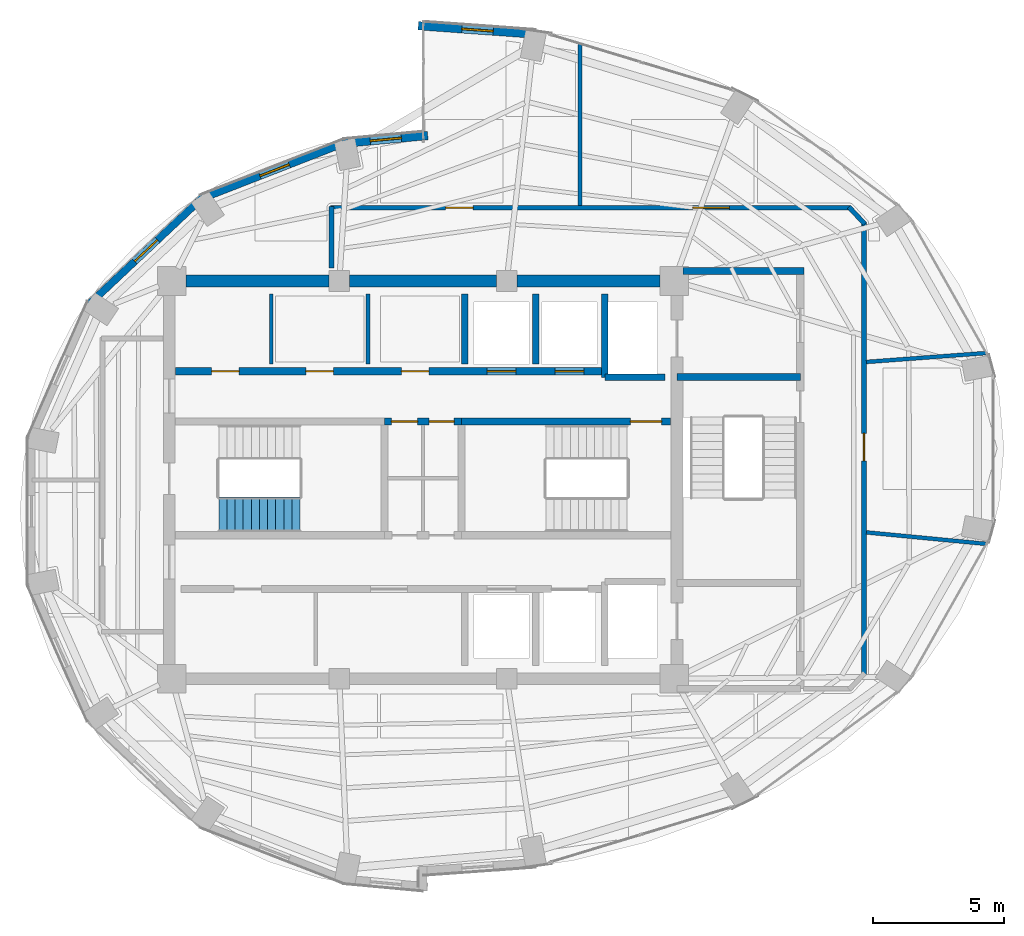
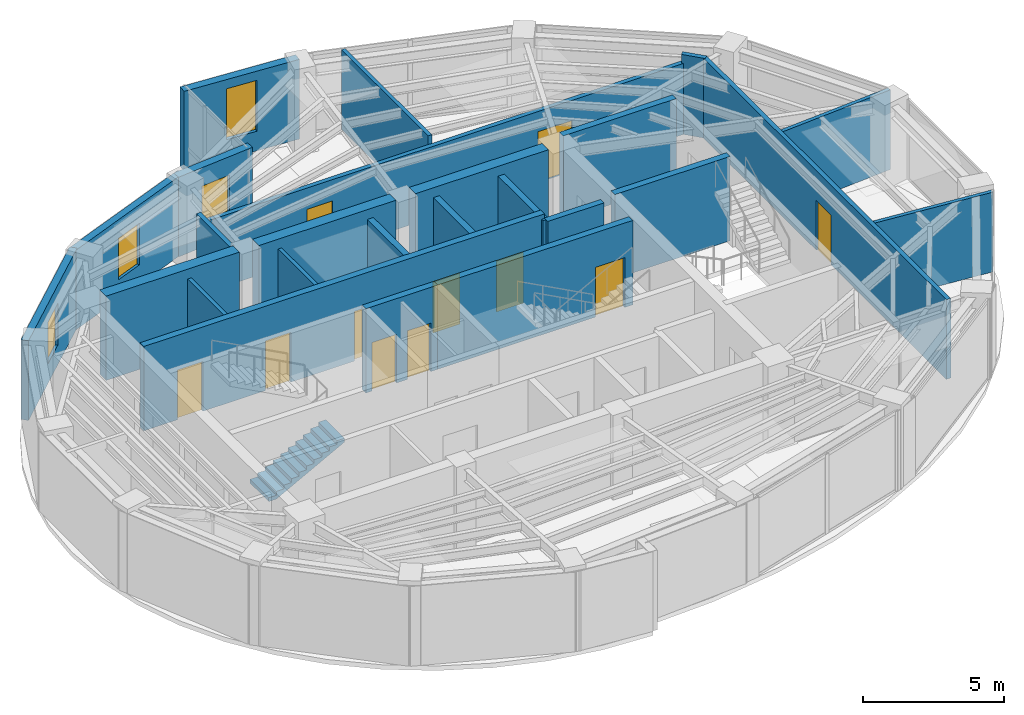
# One storey, part 12 of 15: 25 walls, 11 doors, 4 windows, 1 stair flight, 15 openings, 1 element without a shape of its own.
"""IFC4 building model written with IfcOpenShell, lengths in metres."""

from ifc_helpers import new_model, si_unit, direction, frame, frame_2d, origin, place, context, subcontext, project, spatial, polyline, rectangle, outline, extrude, material, layer, layer_set, type_object, element, fill, aggregate, save


model = new_model("IFC4")

# Units and contexts
model_context = context("Model", 3, precision=1e-05, world=origin(), true_north=direction((0.0, 1.0)))
body_context = subcontext(model_context, "Body", "Model", "MODEL_VIEW")
ifc_project = project(units=[si_unit("LENGTHUNIT", "METRE"), si_unit("AREAUNIT", "SQUARE_METRE"), si_unit("VOLUMEUNIT", "CUBIC_METRE"), si_unit("PLANEANGLEUNIT", "RADIAN"), si_unit("MASSUNIT", "GRAM", prefix="KILO")], contexts=[model_context])

# Site, building, storey
site_placement = place(None, origin())
site = spatial("IfcSite", under=ifc_project, at=site_placement, CompositionType="ELEMENT")
building_placement = place(site_placement, origin())
building = spatial("IfcBuilding", under=site, at=building_placement, Name="Lazwardi Medical Tower", CompositionType="ELEMENT")
storey_placement = place(building_placement, frame((0.0, 0.0, 284.2080078125)))
storey = spatial("IfcBuildingStorey", under=building, at=storey_placement, Name="L74", CompositionType="ELEMENT", Elevation=284.2080078125)

# Wall
ifc_material_1 = material(Name="Fire-rated gypsum board on steel stud", Category="steel")
ifc_layer_1 = layer(ifc_material_1, 0.179931640625)
ifc_layer_set_1 = layer_set([ifc_layer_1], Name="Fire-rated gypsum board on steel stud")
wall_type_1 = type_object("IfcWallType", Name="WL-COR-180", PredefinedType="PARTITIONING", material=ifc_layer_set_1)
wall_1_placement = place(storey_placement, frame((32.5, 36.090087890625, 0.0), z_axis=(0.0, 0.0, 1.0), x_axis=(0.0, 1.0, 0.0)))
element("IfcWall", 1, at=wall_1_placement, inside=storey, type_object=wall_type_1, Name="L74 Corridor partition 1", PredefinedType="PARTITIONING", context=body_context, shape_type="SweptSolid", body=[
    extrude(rectangle(XDim=2.349853515625, YDim=0.179931640625, at=frame_2d((1.1748046875, 0.0))), origin(), (0.0, 0.0, 1.0), 3.447998046875),
])

# Wall, openings, doors
wall_2_placement = place(storey_placement, frame((32.4599609375, 38.39990234375, 0.0), z_axis=(0.0, 0.0, 1.0), x_axis=(1.0, 0.0, 0.0)))
wall_2 = element("IfcWall", 2, at=wall_2_placement, inside=storey, type_object=wall_type_1, Name="L74 Corridor partition 2", PredefinedType="PARTITIONING", context=body_context, shape_type="SweptSolid", body=[
    extrude(rectangle(XDim=19.879150390625, YDim=0.179931640625, at=frame_2d((9.939453125, 0.0))), origin(), (0.0, 0.0, 1.0), 3.072998046875),
])
opening_1_placement = place(wall_2_placement, frame((13.8505859375, 0.0, 0.0)))
opening_1 = element("IfcOpeningElement", 3, at=opening_1_placement, cuts=wall_2, Name="Opening D-L74-016", PredefinedType="OPENING", context=body_context, shape_type="SweptSolid", body=[
    extrude(rectangle(XDim=1.39990234375, YDim=2.199951171875, at=frame_2d((0.699951171875, 1.10009765625))), frame((0.0, 0.099853515625, 0.0), z_axis=(0.0, -1.0, 0.0), x_axis=(1.0, 0.0, 0.0)), (0.0, 0.0, 1.0), 0.199951171875),
])
opening_2_placement = place(wall_2_placement, frame((4.404052734375, 0.0, 0.0)))
opening_2 = element("IfcOpeningElement", 4, at=opening_2_placement, cuts=wall_2, Name="Opening D-L74-017", PredefinedType="OPENING", context=body_context, shape_type="SweptSolid", body=[
    extrude(rectangle(XDim=1.050048828125, YDim=2.14990234375, at=frame_2d((0.52490234375, 1.074951171875))), frame((0.0, 0.099853515625, 0.0), z_axis=(0.0, -1.0, 0.0), x_axis=(1.0, 0.0, 0.0)), (0.0, 0.0, 1.0), 0.199951171875),
])
ifc_material_2 = material(Name="Anti-microbial laminate hospital leaf")
door_type_1 = type_object("IfcDoorType", Name="DR-BED-1400", OperationType="NOTDEFINED", PredefinedType="DOOR", material=ifc_material_2)
door_1_placement = place(opening_1_placement, origin())
door_1 = element("IfcDoor", 5, at=door_1_placement, inside=storey, type_object=door_type_1, Name="L74 Rehabilitation Gymnasium Door 03", OperationType="SINGLE_SWING_RIGHT", OverallHeight=2.199951171875, OverallWidth=1.39990234375, PredefinedType="DOOR", context=body_context, shape_type="SweptSolid", body=[
    extrude(rectangle(XDim=1.39990234375, YDim=2.199951171875, at=frame_2d((0.699951171875, 1.10009765625))), frame((0.0, 0.02490234375, 0.0), z_axis=(0.0, -1.0, 0.0), x_axis=(1.0, 0.0, 0.0)), (0.0, 0.0, 1.0), 0.050048828125),
])
fill(opening_1, door_1)
door_type_2 = type_object("IfcDoorType", Name="DR-CLN-1050", OperationType="NOTDEFINED", PredefinedType="DOOR", material=ifc_material_2)
door_2_placement = place(opening_2_placement, origin())
door_2 = element("IfcDoor", 6, at=door_2_placement, inside=storey, type_object=door_type_2, Name="L74 Outpatient Clinic Door 04", OperationType="SINGLE_SWING_LEFT", OverallHeight=2.14990234375, OverallWidth=1.050048828125, PredefinedType="DOOR", context=body_context, shape_type="SweptSolid", body=[
    extrude(rectangle(XDim=1.050048828125, YDim=2.14990234375, at=frame_2d((0.52490234375, 1.074951171875))), frame((0.0, 0.02490234375, 0.0), z_axis=(0.0, -1.0, 0.0), x_axis=(1.0, 0.0, 0.0)), (0.0, 0.0, 1.0), 0.050048828125),
])
fill(opening_2, door_2)

# Wall
wall_3_placement = place(storey_placement, frame((52.271728515625, 38.42919921875, 0.0), z_axis=(0.0, 0.0, 1.0), x_axis=(0.682475113459, -0.730908831188, 0.0)))
element("IfcWall", 7, at=wall_3_placement, inside=storey, type_object=wall_type_1, Name="L74 Corridor partition 3", PredefinedType="PARTITIONING", context=body_context, shape_type="SweptSolid", body=[
    extrude(rectangle(XDim=0.88720703125, YDim=0.179931640625, at=frame_2d((0.443603515625, 0.0))), origin(), (0.0, 0.0, 1.0), 3.447998046875),
])

# Wall, opening, door
wall_4_placement = place(storey_placement, frame((52.85009765625, 37.85009765625, 0.0), z_axis=(0.0, 0.0, 1.0), x_axis=(0.0, -1.0, 0.0)))
wall_4 = element("IfcWall", 8, at=wall_4_placement, inside=storey, type_object=wall_type_1, Name="L74 Corridor partition 4", PredefinedType="PARTITIONING", context=body_context, shape_type="SweptSolid", body=[
    extrude(rectangle(XDim=17.30029296875, YDim=0.179931640625, at=frame_2d((8.650146484375, 0.0))), origin(), (0.0, 0.0, 1.0), 3.447998046875),
])
opening_3_placement = place(wall_4_placement, frame((8.075927734375, 0.0, 0.0)))
opening_3 = element("IfcOpeningElement", 9, at=opening_3_placement, cuts=wall_4, Name="Opening D-L74-015", PredefinedType="OPENING", context=body_context, shape_type="SweptSolid", body=[
    extrude(rectangle(XDim=1.050048828125, YDim=2.14990234375, at=frame_2d((0.52490234375, 1.074951171875))), frame((0.0, 0.099853515625, 0.0), z_axis=(0.0, -1.0, 0.0), x_axis=(1.0, 0.0, 0.0)), (0.0, 0.0, 1.0), 0.199951171875),
])
door_3_placement = place(opening_3_placement, origin())
door_3 = element("IfcDoor", 10, at=door_3_placement, inside=storey, type_object=door_type_2, Name="L74 Clinical Specialist Office Door 02", OperationType="SINGLE_SWING_LEFT", OverallHeight=2.14990234375, OverallWidth=1.050048828125, PredefinedType="DOOR", context=body_context, shape_type="SweptSolid", body=[
    extrude(rectangle(XDim=1.050048828125, YDim=2.14990234375, at=frame_2d((0.52490234375, 1.074951171875))), frame((0.0, 0.02490234375, 0.0), z_axis=(0.0, -1.0, 0.0), x_axis=(1.0, 0.0, 0.0)), (0.0, 0.0, 1.0), 0.050048828125),
])
fill(opening_3, door_3)

# Walls
ifc_material_3 = material(Name="Concrete C60/75", Category="concrete")
ifc_layer_2 = layer(ifc_material_3, 0.449951171875)
ifc_layer_set_2 = layer_set([ifc_layer_2], Name="Concrete C60/75")
wall_type_2 = type_object("IfcWallType", Name="WL-CORE-450", PredefinedType="SHEAR", material=ifc_layer_set_2)
wall_5_placement = place(storey_placement, frame((26.949951171875, 35.60009765625, 0.0), z_axis=(0.0, 0.0, 1.0), x_axis=(1.0, 0.0, 0.0)))
element("IfcWall", 11, at=wall_5_placement, inside=storey, type_object=wall_type_2, Name="Core wall CW-S4 N1 L74", PredefinedType="SHEAR", context=body_context, shape_type="SweptSolid", body=[
    extrude(rectangle(XDim=5.449951171875, YDim=0.449951171875, at=frame_2d((2.72509765625, 0.0))), origin(), (0.0, 0.0, 1.0), 3.64794921875),
])
wall_6_placement = place(storey_placement, frame((33.199951171875, 35.60009765625, 0.0), z_axis=(0.0, 0.0, 1.0), x_axis=(1.0, 0.0, 0.0)))
element("IfcWall", 12, at=wall_6_placement, inside=storey, type_object=wall_type_2, Name="Core wall CW-S4 N2 L74", PredefinedType="SHEAR", context=body_context, shape_type="SweptSolid", body=[
    extrude(rectangle(XDim=5.60009765625, YDim=0.449951171875, at=frame_2d((2.800048828125, 0.0))), origin(), (0.0, 0.0, 1.0), 3.64794921875),
])
wall_7_placement = place(storey_placement, frame((39.60009765625, 35.60009765625, 0.0), z_axis=(0.0, 0.0, 1.0), x_axis=(1.0, 0.0, 0.0)))
element("IfcWall", 13, at=wall_7_placement, inside=storey, type_object=wall_type_2, Name="Core wall CW-S4 N3 L74", PredefinedType="SHEAR", context=body_context, shape_type="SweptSolid", body=[
    extrude(rectangle(XDim=5.449951171875, YDim=0.449951171875, at=frame_2d((2.72509765625, 0.0))), origin(), (0.0, 0.0, 1.0), 3.64794921875),
])

# Wall, opening, window
ifc_material_4 = material(Name="Precast concrete C45/55", Category="concrete")
ifc_layer_3 = layer(ifc_material_4, 0.280029296875)
ifc_layer_set_3 = layer_set([ifc_layer_3], Name="Precast concrete C45/55")
wall_type_3 = type_object("IfcWallType", Name="WL-DRUM-280", PredefinedType="SOLIDWALL", material=ifc_layer_set_3)
wall_8_placement = place(storey_placement, frame((33.227783203125, 40.964111328125, 0.0), z_axis=(0.0, 0.0, 1.0), x_axis=(-0.931716550814, -0.36318627306, 0.0)))
wall_8 = element("IfcWall", 14, at=wall_8_placement, inside=storey, type_object=wall_type_3, Name="L74 West Drum Precast Wall 1", PredefinedType="SOLIDWALL", context=body_context, shape_type="SweptSolid", body=[
    extrude(rectangle(XDim=6.22412109375, YDim=0.280029296875, at=frame_2d((3.112060546875, 0.0))), origin(), (0.0, 0.0, 1.0), 3.447998046875),
])
opening_4_placement = place(wall_8_placement, frame((2.511962890625, 0.0, 0.85009765625)))
opening_4 = element("IfcOpeningElement", 15, at=opening_4_placement, cuts=wall_8, Name="Opening WN-04", PredefinedType="OPENING", context=body_context, shape_type="SweptSolid", body=[
    extrude(rectangle(XDim=1.199951171875, YDim=1.800048828125, at=frame_2d((0.60009765625, 0.89990234375))), frame((0.0, 0.14990234375, 0.0), z_axis=(0.0, -1.0, 0.0), x_axis=(1.0, 0.0, 0.0)), (0.0, 0.0, 1.0), 0.300048828125),
])
ifc_material_5 = material(Name="Low-e bronze solar control double glazing", Category="glass")
window_type_1 = type_object("IfcWindowType", Name="WIN-DRUM-1200", PartitioningType="SINGLE_PANEL", PredefinedType="WINDOW", material=ifc_material_5)
window_1_placement = place(opening_4_placement, origin())
window_1 = element("IfcWindow", 16, at=window_1_placement, inside=storey, type_object=window_type_1, Name="L74 West Drum Window 1", OverallHeight=1.800048828125, OverallWidth=1.199951171875, PartitioningType="SINGLE_PANEL", PredefinedType="WINDOW", context=body_context, shape_type="SweptSolid", body=[
    extrude(rectangle(XDim=1.199951171875, YDim=1.800048828125, at=frame_2d((0.60009765625, 0.89990234375))), frame((0.0, 0.030029296875, 0.0), z_axis=(0.0, -1.0, 0.0), x_axis=(1.0, 0.0, 0.0)), (0.0, 0.0, 1.0), 0.06005859375),
])
fill(opening_4, window_1)

wall_9_placement = place(storey_placement, frame((27.5947265625, 38.808349609375, 0.0), z_axis=(0.0, 0.0, 1.0), x_axis=(-0.728251519923, -0.685309947199, 0.0)))
wall_9 = element("IfcWall", 17, at=wall_9_placement, inside=storey, type_object=wall_type_3, Name="L74 West Drum Precast Wall 2", PredefinedType="SOLIDWALL", context=body_context, shape_type="SweptSolid", body=[
    extrude(rectangle(XDim=5.98095703125, YDim=0.280029296875, at=frame_2d((2.990478515625, 0.0))), origin(), (0.0, 0.0, 1.0), 3.447998046875),
])
opening_5_placement = place(wall_9_placement, frame((2.390625, 0.0, 0.85009765625)))
opening_5 = element("IfcOpeningElement", 18, at=opening_5_placement, cuts=wall_9, Name="Opening WN-04", PredefinedType="OPENING", context=body_context, shape_type="SweptSolid", body=[
    extrude(rectangle(XDim=1.199951171875, YDim=1.800048828125, at=frame_2d((0.60009765625, 0.89990234375))), frame((0.0, 0.14990234375, 0.0), z_axis=(0.0, -1.0, 0.0), x_axis=(1.0, 0.0, 0.0)), (0.0, 0.0, 1.0), 0.300048828125),
])
window_2_placement = place(opening_5_placement, origin())
window_2 = element("IfcWindow", 19, at=window_2_placement, inside=storey, type_object=window_type_1, Name="L74 West Drum Window 2", OverallHeight=1.800048828125, OverallWidth=1.199951171875, PartitioningType="SINGLE_PANEL", PredefinedType="WINDOW", context=body_context, shape_type="SweptSolid", body=[
    extrude(rectangle(XDim=1.199951171875, YDim=1.800048828125, at=frame_2d((0.60009765625, 0.89990234375))), frame((0.0, 0.030029296875, 0.0), z_axis=(0.0, -1.0, 0.0), x_axis=(1.0, 0.0, 0.0)), (0.0, 0.0, 1.0), 0.06005859375),
])
fill(opening_5, window_2)

ifc_layer_4 = layer(ifc_material_4, 0.320068359375)
ifc_layer_set_4 = layer_set([ifc_layer_4], Name="Precast concrete C45/55")
wall_type_4 = type_object("IfcWallType", Name="WL-IWAN-320", PredefinedType="SOLIDWALL", material=ifc_layer_set_4)
wall_10_placement = place(storey_placement, frame((40.349609375, 45.0263671875, 0.0), z_axis=(0.0, 0.0, 1.0), x_axis=(-0.997412917451, 0.071885131294, 0.0)))
wall_10 = element("IfcWall", 20, at=wall_10_placement, inside=storey, type_object=wall_type_4, Name="L74 Iwan Portal Return Wall NE_ret", PredefinedType="SOLIDWALL", context=body_context, shape_type="SweptSolid", body=[
    extrude(rectangle(XDim=4.540771484375, YDim=0.320068359375, at=frame_2d((2.2705078125, 0.0))), origin(), (0.0, 0.0, 1.0), 3.447998046875),
])
opening_6_placement = place(wall_10_placement, frame((1.67041015625, 0.0, 0.85009765625)))
opening_6 = element("IfcOpeningElement", 21, at=opening_6_placement, cuts=wall_10, Name="Opening WN-01", PredefinedType="OPENING", context=body_context, shape_type="SweptSolid", body=[
    extrude(rectangle(XDim=1.199951171875, YDim=2.199951171875, at=frame_2d((0.60009765625, 1.10009765625))), frame((0.0, 0.169921875, 0.0), z_axis=(0.0, -1.0, 0.0), x_axis=(1.0, 0.0, 0.0)), (0.0, 0.0, 1.0), 0.340087890625),
])
window_type_2 = type_object("IfcWindowType", Name="WIN-IW-1200", PartitioningType="SINGLE_PANEL", PredefinedType="WINDOW", material=ifc_material_5)
window_3_placement = place(opening_6_placement, origin())
window_3 = element("IfcWindow", 22, at=window_3_placement, inside=storey, type_object=window_type_2, Name="L74 Iwan Slot Window NE_ret", OverallHeight=2.199951171875, OverallWidth=1.199951171875, PartitioningType="SINGLE_PANEL", PredefinedType="WINDOW", context=body_context, shape_type="SweptSolid", body=[
    extrude(rectangle(XDim=1.199951171875, YDim=2.199951171875, at=frame_2d((0.60009765625, 1.10009765625))), frame((0.0, 0.030029296875, 0.0), z_axis=(0.0, -1.0, 0.0), x_axis=(1.0, 0.0, 0.0)), (0.0, 0.0, 1.0), 0.06005859375),
])
fill(opening_6, window_3)

wall_11_placement = place(storey_placement, frame((36.178955078125, 41.156494140625, 0.0), z_axis=(0.0, 0.0, 1.0), x_axis=(-0.995736155144, -0.092247001792, 0.0)))
wall_11 = element("IfcWall", 23, at=wall_11_placement, inside=storey, type_object=wall_type_4, Name="L74 Iwan Portal Return Wall NW_ret", PredefinedType="SOLIDWALL", context=body_context, shape_type="SweptSolid", body=[
    extrude(rectangle(XDim=3.215576171875, YDim=0.320068359375, at=frame_2d((1.60791015625, 0.0))), origin(), (0.0, 0.0, 1.0), 3.447998046875),
])
opening_7_placement = place(wall_11_placement, frame((1.0078125, 0.0, 0.85009765625)))
opening_7 = element("IfcOpeningElement", 24, at=opening_7_placement, cuts=wall_11, Name="Opening WN-04", PredefinedType="OPENING", context=body_context, shape_type="SweptSolid", body=[
    extrude(rectangle(XDim=1.199951171875, YDim=1.800048828125, at=frame_2d((0.60009765625, 0.89990234375))), frame((0.0, 0.169921875, 0.0), z_axis=(0.0, -1.0, 0.0), x_axis=(1.0, 0.0, 0.0)), (0.0, 0.0, 1.0), 0.340087890625),
])
window_4_placement = place(opening_7_placement, origin())
window_4 = element("IfcWindow", 25, at=window_4_placement, inside=storey, type_object=window_type_1, Name="L74 Iwan Slot Window NW_ret", OverallHeight=1.800048828125, OverallWidth=1.199951171875, PartitioningType="SINGLE_PANEL", PredefinedType="WINDOW", context=body_context, shape_type="SweptSolid", body=[
    extrude(rectangle(XDim=1.199951171875, YDim=1.800048828125, at=frame_2d((0.60009765625, 0.89990234375))), frame((0.0, 0.030029296875, 0.0), z_axis=(0.0, -1.0, 0.0), x_axis=(1.0, 0.0, 0.0)), (0.0, 0.0, 1.0), 0.06005859375),
])
fill(opening_7, window_4)

# Walls
ifc_material_6 = material(Name="Autoclaved aerated concrete blockwork", Category="masonry")
ifc_layer_5 = layer(ifc_material_6, 0.25)
ifc_layer_set_5 = layer_set([ifc_layer_5], Name="Autoclaved aerated concrete blockwork")
wall_type_5 = type_object("IfcWallType", Name="WL-SHAFT-250", PredefinedType="SOLIDWALL", material=ifc_layer_set_5)
wall_12_placement = place(storey_placement, frame((42.949951171875, 31.919921875, 0.0), z_axis=(0.0, 0.0, 1.0), x_axis=(0.0, 1.0, 0.0)))
element("IfcWall", 26, at=wall_12_placement, inside=storey, type_object=wall_type_5, Name="L74 FL-01 West shaft wall", PredefinedType="SOLIDWALL", context=body_context, shape_type="SweptSolid", body=[
    extrude(rectangle(XDim=3.18017578125, YDim=0.25, at=frame_2d((1.590087890625, 0.0))), origin(), (0.0, 0.0, 1.0), 3.447998046875),
])
wall_13_placement = place(storey_placement, frame((42.949951171875, 31.919921875, 0.0), z_axis=(0.0, 0.0, 1.0), x_axis=(1.0, 0.0, 0.0)))
element("IfcWall", 27, at=wall_13_placement, inside=storey, type_object=wall_type_5, Name="L74 FL-01 South shaft wall", PredefinedType="SOLIDWALL", context=body_context, shape_type="SweptSolid", body=[
    extrude(rectangle(XDim=2.300048828125, YDim=0.25, at=frame_2d((1.14990234375, 0.0))), origin(), (0.0, 0.0, 1.0), 3.447998046875),
])
for number, where, z_axis, x_axis, name in (
    (28, (37.60009765625, 32.419921875, 0.0), (0.0, 0.0, 1.0), (0.0, 1.0, 0.0), "L74 North hoistway divider"),
    (29, (40.300048828125, 32.419921875, 0.0), (0.0, 0.0, 1.0), (0.0, 1.0, 0.0), "L74 North hoistway divider"),
):
    element("IfcWall", number, at=place(storey_placement, frame(where, z_axis=z_axis, x_axis=x_axis)), inside=storey, type_object=wall_type_5, Name=name, PredefinedType="SOLIDWALL", context=body_context, shape_type="SweptSolid", body=[
        extrude(rectangle(XDim=2.68017578125, YDim=0.25, at=frame_2d((1.340087890625, 0.0))), origin(), (0.0, 0.0, 1.0), 3.447998046875),
    ])

# Wall, openings, doors
ifc_material_7 = material(Name="Concrete C50/60", Category="concrete")
ifc_layer_6 = layer(ifc_material_7, 0.27001953125)
ifc_layer_set_6 = layer_set([ifc_layer_6], Name="Concrete C50/60")
wall_type_6 = type_object("IfcWallType", Name="WL-STR-250", PredefinedType="SHEAR", material=ifc_layer_set_6)
wall_14_placement = place(storey_placement, frame((34.534912109375, 30.235107421875, 0.0), z_axis=(0.0, 0.0, 1.0), x_axis=(1.0, 0.0, 0.0)))
wall_14 = element("IfcWall", 30, at=wall_14_placement, inside=storey, type_object=wall_type_6, Name="L74 Core service North shear wall SW-S1", PredefinedType="SHEAR", context=body_context, shape_type="SweptSolid", body=[
    extrude(rectangle(XDim=2.93017578125, YDim=0.27001953125, at=frame_2d((1.465087890625, 0.0))), origin(), (0.0, 0.0, 1.0), 3.64794921875),
])
opening_8_placement = place(wall_14_placement, frame((0.2548828125, 0.0, 0.0)))
opening_8 = element("IfcOpeningElement", 31, at=opening_8_placement, cuts=wall_14, Name="Opening D-L74-003", PredefinedType="OPENING", context=body_context, shape_type="SweptSolid", body=[
    extrude(rectangle(XDim=1.0, YDim=2.10009765625, at=frame_2d((0.5, 1.050048828125))), frame((0.0, 0.14501953125, 0.0), z_axis=(0.0, -1.0, 0.0), x_axis=(1.0, 0.0, 0.0)), (0.0, 0.0, 1.0), 0.2900390625),
])
opening_9_placement = place(wall_14_placement, frame((1.699951171875, 0.0, 0.0)))
opening_9 = element("IfcOpeningElement", 32, at=opening_9_placement, cuts=wall_14, Name="Opening D-L74-004", PredefinedType="OPENING", context=body_context, shape_type="SweptSolid", body=[
    extrude(rectangle(XDim=0.949951171875, YDim=2.10009765625, at=frame_2d((0.47509765625, 1.050048828125))), frame((0.0, 0.14501953125, 0.0), z_axis=(0.0, -1.0, 0.0), x_axis=(1.0, 0.0, 0.0)), (0.0, 0.0, 1.0), 0.2900390625),
])
ifc_material_8 = material(Name="Moisture-resistant laminate door leaf")
door_type_3 = type_object("IfcDoorType", Name="DR-AWC-1000", OperationType="NOTDEFINED", PredefinedType="DOOR", material=ifc_material_8)
door_4_placement = place(opening_8_placement, origin())
door_4 = element("IfcDoor", 33, at=door_4_placement, inside=storey, type_object=door_type_3, Name="L74 Accessible WC Door", OperationType="SINGLE_SWING_RIGHT", OverallHeight=2.10009765625, OverallWidth=1.0, PredefinedType="DOOR", context=body_context, shape_type="SweptSolid", body=[
    extrude(rectangle(XDim=1.0, YDim=2.10009765625, at=frame_2d((0.5, 1.050048828125))), frame((0.0, 0.02490234375, 0.0), z_axis=(0.0, -1.0, 0.0), x_axis=(1.0, 0.0, 0.0)), (0.0, 0.0, 1.0), 0.050048828125),
])
fill(opening_8, door_4)
door_type_4 = type_object("IfcDoorType", Name="DR-ENS-950", OperationType="NOTDEFINED", PredefinedType="DOOR", material=ifc_material_8)
door_5_placement = place(opening_9_placement, origin())
door_5 = element("IfcDoor", 34, at=door_5_placement, inside=storey, type_object=door_type_4, Name="L74 Clean Utility Door", OperationType="SINGLE_SWING_LEFT", OverallHeight=2.10009765625, OverallWidth=0.949951171875, PredefinedType="DOOR", context=body_context, shape_type="SweptSolid", body=[
    extrude(rectangle(XDim=0.949951171875, YDim=2.10009765625, at=frame_2d((0.47509765625, 1.050048828125))), frame((0.0, 0.02490234375, 0.0), z_axis=(0.0, -1.0, 0.0), x_axis=(1.0, 0.0, 0.0)), (0.0, 0.0, 1.0), 0.050048828125),
])
fill(opening_9, door_5)

# Wall, opening, door
wall_15_placement = place(storey_placement, frame((37.465087890625, 30.235107421875, 0.0), z_axis=(0.0, 0.0, 1.0), x_axis=(1.0, 0.0, 0.0)))
wall_15 = element("IfcWall", 35, at=wall_15_placement, inside=storey, type_object=wall_type_6, Name="L74 ST2 North shear shaft wall SW-S1", PredefinedType="SHEAR", context=body_context, shape_type="SweptSolid", body=[
    extrude(rectangle(XDim=7.98486328125, YDim=0.27001953125, at=frame_2d((3.992431640625, 0.0))), origin(), (0.0, 0.0, 1.0), 3.64794921875),
])
opening_10_placement = place(wall_15_placement, frame((6.455078125, 0.0, 0.0)))
opening_10 = element("IfcOpeningElement", 36, at=opening_10_placement, cuts=wall_15, Name="Opening D-L74-019", PredefinedType="OPENING", context=body_context, shape_type="SweptSolid", body=[
    extrude(rectangle(XDim=1.199951171875, YDim=2.14990234375, at=frame_2d((0.60009765625, 1.074951171875))), frame((0.0, 0.14501953125, 0.0), z_axis=(0.0, -1.0, 0.0), x_axis=(1.0, 0.0, 0.0)), (0.0, 0.0, 1.0), 0.2900390625),
])
ifc_material_9 = material(Name="Fire-rated steel leaf and frame", Category="steel")
door_type_5 = type_object("IfcDoorType", Name="DR-STR-1200", OperationType="NOTDEFINED", PredefinedType="DOOR", material=ifc_material_9)
door_6_placement = place(opening_10_placement, origin())
door_6 = element("IfcDoor", 37, at=door_6_placement, inside=storey, type_object=door_type_5, Name="L74 Exit Stair ST2 Door", OperationType="SINGLE_SWING_LEFT", OverallHeight=2.14990234375, OverallWidth=1.199951171875, PredefinedType="DOOR", context=body_context, shape_type="SweptSolid", body=[
    extrude(rectangle(XDim=1.199951171875, YDim=2.14990234375, at=frame_2d((0.60009765625, 1.074951171875))), frame((0.0, 0.02490234375, 0.0), z_axis=(0.0, -1.0, 0.0), x_axis=(1.0, 0.0, 0.0)), (0.0, 0.0, 1.0), 0.050048828125),
])
fill(opening_10, door_6)

# Wall, openings, doors
wall_16_placement = place(storey_placement, frame((26.550048828125, 32.14990234375, 0.0), z_axis=(0.0, 0.0, 1.0), x_axis=(1.0, 0.0, 0.0)))
wall_16 = element("IfcWall", 38, at=wall_16_placement, inside=storey, type_object=wall_type_6, Name="L74 North lift bank shear wall SW-S1", PredefinedType="SHEAR", context=body_context, shape_type="SweptSolid", body=[
    extrude(rectangle(XDim=16.39990234375, YDim=0.27001953125, at=frame_2d((8.199951171875, 0.0))), origin(), (0.0, 0.0, 1.0), 3.64794921875),
])
opening_11_placement = place(wall_16_placement, frame((1.375, 0.0, 0.0)))
opening_11 = element("IfcOpeningElement", 39, at=opening_11_placement, cuts=wall_16, Name="Opening D-L74-005", PredefinedType="OPENING", context=body_context, shape_type="SweptSolid", body=[
    extrude(rectangle(XDim=1.050048828125, YDim=2.14990234375, at=frame_2d((0.52490234375, 1.074951171875))), frame((0.0, 0.14501953125, 0.0), z_axis=(0.0, -1.0, 0.0), x_axis=(1.0, 0.0, 0.0)), (0.0, 0.0, 1.0), 0.2900390625),
])
opening_12_placement = place(wall_16_placement, frame((4.97509765625, 0.0, 0.0)))
opening_12 = element("IfcOpeningElement", 40, at=opening_12_placement, cuts=wall_16, Name="Opening D-L74-006", PredefinedType="OPENING", context=body_context, shape_type="SweptSolid", body=[
    extrude(rectangle(XDim=1.050048828125, YDim=2.14990234375, at=frame_2d((0.52490234375, 1.074951171875))), frame((0.0, 0.14501953125, 0.0), z_axis=(0.0, -1.0, 0.0), x_axis=(1.0, 0.0, 0.0)), (0.0, 0.0, 1.0), 0.2900390625),
])
opening_13_placement = place(wall_16_placement, frame((8.625, 0.0, 0.0)))
opening_13 = element("IfcOpeningElement", 41, at=opening_13_placement, cuts=wall_16, Name="Opening D-L74-007", PredefinedType="OPENING", context=body_context, shape_type="SweptSolid", body=[
    extrude(rectangle(XDim=1.050048828125, YDim=2.14990234375, at=frame_2d((0.52490234375, 1.074951171875))), frame((0.0, 0.14501953125, 0.0), z_axis=(0.0, -1.0, 0.0), x_axis=(1.0, 0.0, 0.0)), (0.0, 0.0, 1.0), 0.2900390625),
])
opening_14_placement = place(wall_16_placement, frame((11.89990234375, 0.0, 0.0)))
opening_14 = element("IfcOpeningElement", 42, at=opening_14_placement, cuts=wall_16, Name="Opening LD-L74-004", PredefinedType="OPENING", context=body_context, shape_type="SweptSolid", body=[
    extrude(rectangle(XDim=1.10009765625, YDim=2.199951171875, at=frame_2d((0.550048828125, 1.10009765625))), frame((0.0, 0.14501953125, 0.0), z_axis=(0.0, -1.0, 0.0), x_axis=(1.0, 0.0, 0.0)), (0.0, 0.0, 1.0), 0.2900390625),
])
opening_15_placement = place(wall_16_placement, frame((14.5, 0.0, 0.0)))
opening_15 = element("IfcOpeningElement", 43, at=opening_15_placement, cuts=wall_16, Name="Opening LD-L74-005", PredefinedType="OPENING", context=body_context, shape_type="SweptSolid", body=[
    extrude(rectangle(XDim=1.10009765625, YDim=2.199951171875, at=frame_2d((0.550048828125, 1.10009765625))), frame((0.0, 0.14501953125, 0.0), z_axis=(0.0, -1.0, 0.0), x_axis=(1.0, 0.0, 0.0)), (0.0, 0.0, 1.0), 0.2900390625),
])
door_7_placement = place(opening_11_placement, origin())
door_7 = element("IfcDoor", 44, at=door_7_placement, inside=storey, type_object=door_type_2, Name="L74 Pantry Door", OperationType="SINGLE_SWING_RIGHT", OverallHeight=2.14990234375, OverallWidth=1.050048828125, PredefinedType="DOOR", context=body_context, shape_type="SweptSolid", body=[
    extrude(rectangle(XDim=1.050048828125, YDim=2.14990234375, at=frame_2d((0.52490234375, 1.074951171875))), frame((0.0, 0.02490234375, 0.0), z_axis=(0.0, -1.0, 0.0), x_axis=(1.0, 0.0, 0.0)), (0.0, 0.0, 1.0), 0.050048828125),
])
fill(opening_11, door_7)
door_8_placement = place(opening_12_placement, origin())
door_8 = element("IfcDoor", 45, at=door_8_placement, inside=storey, type_object=door_type_2, Name="L74 Pharmacy Door", OperationType="SINGLE_SWING_LEFT", OverallHeight=2.14990234375, OverallWidth=1.050048828125, PredefinedType="DOOR", context=body_context, shape_type="SweptSolid", body=[
    extrude(rectangle(XDim=1.050048828125, YDim=2.14990234375, at=frame_2d((0.52490234375, 1.074951171875))), frame((0.0, 0.02490234375, 0.0), z_axis=(0.0, -1.0, 0.0), x_axis=(1.0, 0.0, 0.0)), (0.0, 0.0, 1.0), 0.050048828125),
])
fill(opening_12, door_8)
door_9_placement = place(opening_13_placement, origin())
door_9 = element("IfcDoor", 46, at=door_9_placement, inside=storey, type_object=door_type_2, Name="L74 Consult Door", OperationType="SINGLE_SWING_RIGHT", OverallHeight=2.14990234375, OverallWidth=1.050048828125, PredefinedType="DOOR", context=body_context, shape_type="SweptSolid", body=[
    extrude(rectangle(XDim=1.050048828125, YDim=2.14990234375, at=frame_2d((0.52490234375, 1.074951171875))), frame((0.0, 0.02490234375, 0.0), z_axis=(0.0, -1.0, 0.0), x_axis=(1.0, 0.0, 0.0)), (0.0, 0.0, 1.0), 0.050048828125),
])
fill(opening_13, door_9)
ifc_material_10 = material(Name="Brushed bronze stainless steel landing door", Category="steel")
door_type_6 = type_object("IfcDoorType", Name="DR-LFT-1100", OperationType="NOTDEFINED", PredefinedType="DOOR", material=ifc_material_10)
door_10_placement = place(opening_14_placement, origin())
door_10 = element("IfcDoor", 47, at=door_10_placement, inside=storey, type_object=door_type_6, Name="L74 Lift Landing Door PL-09", OperationType="SLIDING_TO_LEFT", OverallHeight=2.199951171875, OverallWidth=1.10009765625, PredefinedType="DOOR", context=body_context, shape_type="SweptSolid", body=[
    extrude(rectangle(XDim=1.10009765625, YDim=2.199951171875, at=frame_2d((0.550048828125, 1.10009765625))), frame((0.0, 0.02490234375, 0.0), z_axis=(0.0, -1.0, 0.0), x_axis=(1.0, 0.0, 0.0)), (0.0, 0.0, 1.0), 0.050048828125),
])
fill(opening_14, door_10)
door_11_placement = place(opening_15_placement, origin())
door_11 = element("IfcDoor", 48, at=door_11_placement, inside=storey, type_object=door_type_6, Name="L74 Lift Landing Door PL-10", OperationType="SLIDING_TO_LEFT", OverallHeight=2.199951171875, OverallWidth=1.10009765625, PredefinedType="DOOR", context=body_context, shape_type="SweptSolid", body=[
    extrude(rectangle(XDim=1.10009765625, YDim=2.199951171875, at=frame_2d((0.550048828125, 1.10009765625))), frame((0.0, 0.02490234375, 0.0), z_axis=(0.0, -1.0, 0.0), x_axis=(1.0, 0.0, 0.0)), (0.0, 0.0, 1.0), 0.050048828125),
])
fill(opening_15, door_11)

# Walls
wall_17_placement = place(storey_placement, frame((45.925048828125, 35.97998046875, 0.0), z_axis=(0.0, 0.0, 1.0), x_axis=(1.0, 0.0, 0.0)))
element("IfcWall", 49, at=wall_17_placement, inside=storey, type_object=wall_type_6, Name="L74 FFL-N North shear wall SW-S1", PredefinedType="SHEAR", context=body_context, shape_type="SweptSolid", body=[
    extrude(rectangle(XDim=4.625, YDim=0.27001953125, at=frame_2d((2.3125, 0.0))), origin(), (0.0, 0.0, 1.0), 3.64794921875),
])
wall_18_placement = place(storey_placement, frame((45.699951171875, 31.93505859375, 0.0), z_axis=(0.0, 0.0, 1.0), x_axis=(1.0, 0.0, 0.0)))
element("IfcWall", 50, at=wall_18_placement, inside=storey, type_object=wall_type_6, Name="L74 ST3 North shear shaft wall SW-S1", PredefinedType="SHEAR", context=body_context, shape_type="SweptSolid", body=[
    extrude(rectangle(XDim=4.715087890625, YDim=0.27001953125, at=frame_2d((2.357421875, 0.0))), origin(), (0.0, 0.0, 1.0), 3.64794921875),
])
ifc_material_11 = material(Name="Acoustic gypsum board partition")
ifc_layer_7 = layer(ifc_material_11, 0.14990234375)
ifc_layer_set_7 = layer_set([ifc_layer_7], Name="Acoustic gypsum board partition")
wall_type_7 = type_object("IfcWallType", Name="WL-WRD-150", PredefinedType="PARTITIONING", material=ifc_layer_set_7)
for number, where, z_axis, x_axis, name in (
    (51, (30.199951171875, 32.419921875, 0.0), (0.0, 0.0, 1.0), (0.0, 1.0, 0.0), "L74 Freed bay2 N split A"),
    (52, (33.89990234375, 32.419921875, 0.0), (0.0, 0.0, 1.0), (0.0, 1.0, 0.0), "L74 Freed bay2 N split B"),
):
    element("IfcWall", number, at=place(storey_placement, frame(where, z_axis=z_axis, x_axis=x_axis)), inside=storey, type_object=wall_type_7, Name=name, PredefinedType="PARTITIONING", context=body_context, shape_type="SweptSolid", body=[
        extrude(rectangle(XDim=2.68017578125, YDim=0.14990234375, at=frame_2d((1.340087890625, 0.0))), origin(), (0.0, 0.0, 1.0), 3.447998046875),
    ])
wall_19_placement = place(storey_placement, frame((52.939697265625, 25.992919921875, 0.0), z_axis=(0.0, 0.0, 1.0), x_axis=(0.995435221006, -0.095439618505, 0.0)))
element("IfcWall", 53, at=wall_19_placement, inside=storey, type_object=wall_type_7, Name="L74 Room partition 2", PredefinedType="PARTITIONING", context=body_context, shape_type="SweptSolid", body=[
    extrude(rectangle(XDim=4.6044921875, YDim=0.14990234375, at=frame_2d((2.30224609375, 0.0))), origin(), (0.0, 0.0, 1.0), 3.447998046875),
])
wall_20_placement = place(storey_placement, frame((52.939697265625, 32.505615234375, 0.0), z_axis=(0.0, 0.0, 1.0), x_axis=(0.997246844083, 0.074153435301, 0.0)))
element("IfcWall", 54, at=wall_20_placement, inside=storey, type_object=wall_type_7, Name="L74 Room partition 3", PredefinedType="PARTITIONING", context=body_context, shape_type="SweptSolid", body=[
    extrude(rectangle(XDim=4.59619140625, YDim=0.14990234375, at=frame_2d((2.298095703125, 0.0))), origin(), (0.0, 0.0, 1.0), 3.447998046875),
])
wall_21_placement = place(storey_placement, frame((42.0, 38.489990234375, 0.0), z_axis=(0.0, 0.0, 1.0), x_axis=(0.0, 1.0, 0.0)))
element("IfcWall", 55, at=wall_21_placement, inside=storey, type_object=wall_type_7, Name="L74 Room partition 4", PredefinedType="PARTITIONING", context=body_context, shape_type="SweptSolid", body=[
    extrude(rectangle(XDim=6.15771484375, YDim=0.14990234375, at=frame_2d((3.078857421875, 0.0))), origin(), (0.0, 0.0, 1.0), 3.447998046875),
])

# Stair, stair flight
ifc_material_12 = material(Name="Concrete C45/55", Category="concrete")
stair_type = type_object("IfcStairType", Name="STR-WRD", PredefinedType="HALF_TURN_STAIR", material=ifc_material_12)
stair_placement = place(storey_placement, origin())
stair = element("IfcStair", 56, at=stair_placement, inside=storey, type_object=stair_type, Name="L74 Protected Exit Stair ST1", PredefinedType="HALF_TURN_STAIR")
stair_flight_type = type_object("IfcStairFlightType", Name="FLT-WRD", PredefinedType="STRAIGHT", material=ifc_material_12)
stair_flight_placement = place(storey_placement, frame((28.199951171875, 26.679931640625, 0.0), z_axis=(0.0, 0.0, 1.0), x_axis=(1.0, 0.0, 0.0)))
stair_flight = element("IfcStairFlight", 57, at=stair_flight_placement, type_object=stair_flight_type, Name="ST1 flight 1", NumberOfRisers=11, NumberOfTreads=10, PredefinedType="STRAIGHT", RiserHeight=0.165818182, TreadLength=0.31, context=body_context, shape_type="SweptSolid", body=[
    extrude(outline(polyline([(0.0, 0.0), (0.0, 0.165771484375), (0.31005859375, 0.165771484375), (0.31005859375, 0.33154296875), (0.6201171875, 0.33154296875), (0.6201171875, 0.49755859375), (0.929931640625, 0.49755859375), (0.929931640625, 0.663330078125), (1.239990234375, 0.663330078125), (1.239990234375, 0.8291015625), (1.550048828125, 0.8291015625), (1.550048828125, 0.994873046875), (1.860107421875, 0.994873046875), (1.860107421875, 1.16064453125), (2.169921875, 1.16064453125), (2.169921875, 1.32666015625), (2.47998046875, 1.32666015625), (2.47998046875, 1.492431640625), (2.7900390625, 1.492431640625), (2.7900390625, 1.658203125), (3.10009765625, 1.658203125), (3.10009765625, 1.823974609375), (3.10009765625, 1.48828125), (0.31787109375, 0.0), (0.0, 0.0)])), frame((0.0, 0.66015625, 0.0), z_axis=(0.0, -1.0, 0.0), x_axis=(1.0, 0.0, 0.0)), (0.0, 0.0, 1.0), 1.320068359375),
])
aggregate(stair, [stair_flight])

save(model, "model.ifc")
